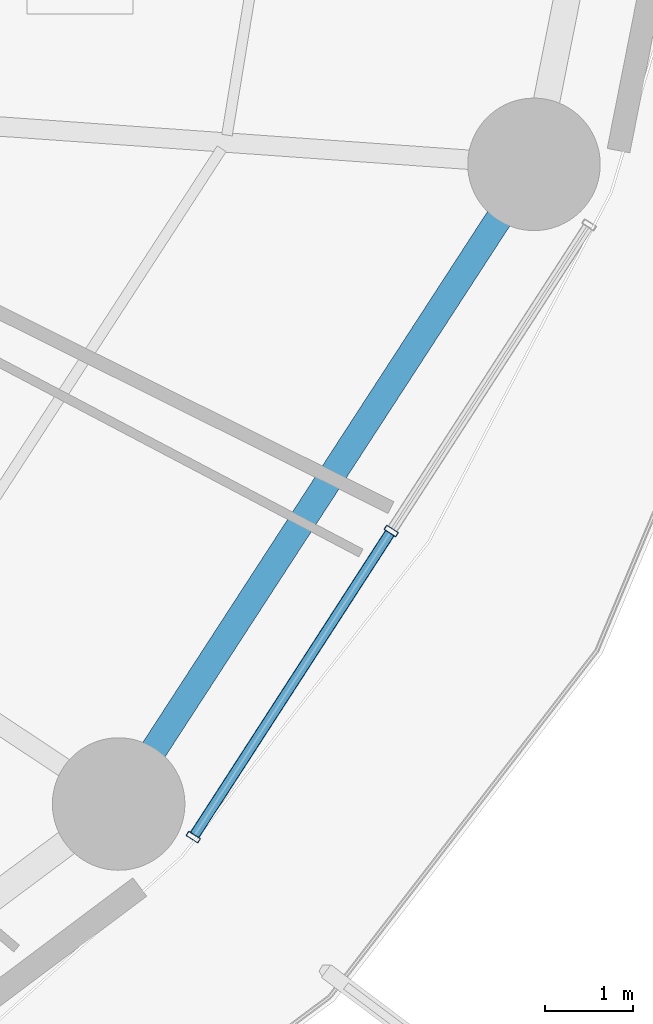
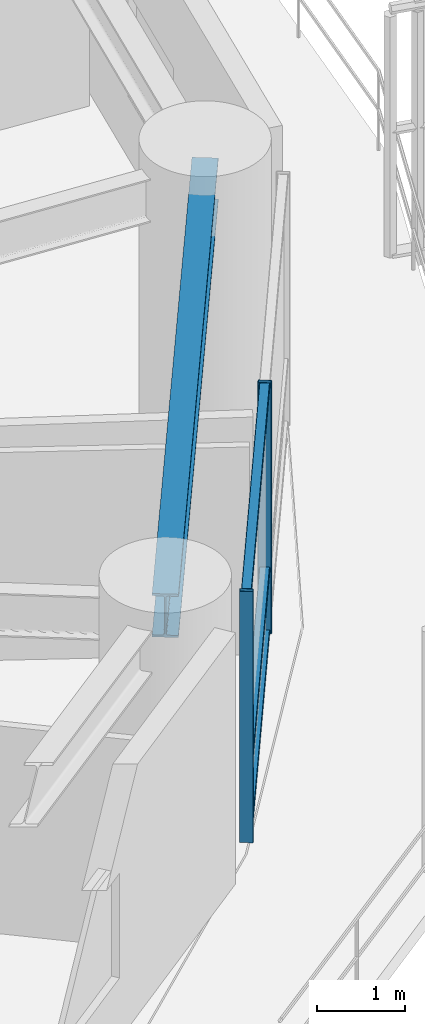
# One storey, part 10 of 31: 5 members, 1 beam, 1 element without a shape of its own.
"""IFC4 building model written with IfcOpenShell, lengths in metres."""

from ifc_helpers import new_model, si_unit, direction, frame, origin, origin_2d, place, context, subcontext, project, spatial, hollow_rectangle, i_section, extrude, material, layer, layer_set, material_profile, profile_set, type_object, element, aggregate, save


model = new_model("IFC4")

# Units and contexts
model_context = context("Model", 3, precision=1e-05, world=origin(), true_north=direction((0.0, 1.0)))
body_context = subcontext(model_context, "Body", "Model", "MODEL_VIEW")
ifc_project = project(units=[si_unit("LENGTHUNIT", "METRE"), si_unit("AREAUNIT", "SQUARE_METRE"), si_unit("VOLUMEUNIT", "CUBIC_METRE"), si_unit("PLANEANGLEUNIT", "RADIAN"), si_unit("MASSUNIT", "GRAM", prefix="KILO")], contexts=[model_context])

# Site, building, storey
site_placement = place(None, origin())
site = spatial("IfcSite", under=ifc_project, at=site_placement, CompositionType="ELEMENT")
building_placement = place(site_placement, origin())
building = spatial("IfcBuilding", under=site, at=building_placement, Name="Kelanora Arch Commons", CompositionType="ELEMENT")
storey_placement = place(building_placement, frame((0.0, 0.0, 63.75)))
storey = spatial("IfcBuildingStorey", under=building, at=storey_placement, Name="L16", CompositionType="ELEMENT", Elevation=63.75)

# Beam
ifc_material_1 = material(Name="Steel S355", Category="steel")
ifc_material_profile_1 = material_profile(ifc_material_1, i_section(OverallWidth=0.300048828125, OverallDepth=0.60009765625, WebThickness=0.015380859375, FlangeThickness=0.030029296875, FilletRadius=0.027099609375, at=origin_2d()), Name="HEB600")
ifc_profile_set_1 = profile_set([ifc_material_profile_1], Name="Steel S355")
beam_type = type_object("IfcBeamType", Name="BM-SPN-Z1", PredefinedType="SPANDREL", material=ifc_profile_set_1)
beam_placement = place(storey_placement, frame((94.744384765625, 42.521728515625, 3.18994140625), z_axis=(0.544585813928, 0.838705127722, 0.0), x_axis=(-0.838705127722, 0.544585813928, 0.0)))
element("IfcBeam", 1, at=beam_placement, inside=storey, type_object=beam_type, Name="Perimeter Spandrel Beam BS-32 L16", PredefinedType="SPANDREL", context=body_context, shape_type="SweptSolid", body=[
    extrude(i_section(OverallWidth=0.300048828125, OverallDepth=0.60009765625, WebThickness=0.015380859375, FlangeThickness=0.030029296875, FilletRadius=0.027099609375, at=origin_2d()), origin(), (0.0, 0.0, 1.0), 8.63525390625),
])

# Curtain wall, members
ifc_material_2 = material(Name="Terracotta ceramic-fritted low-E glass and aluminium", Category="masonry")
ifc_layer = layer(ifc_material_2, 0.159912109375)
ifc_layer_set = layer_set([ifc_layer], Name="Terracotta ceramic-fritted low-E glass and aluminium")
curtain_wall_type = type_object("IfcCurtainWallType", Name="CW-SYS-01", PredefinedType="NOTDEFINED", material=ifc_layer_set)
curtain_wall_placement = place(storey_placement, origin())
curtain_wall = element("IfcCurtainWall", 2, at=curtain_wall_placement, inside=storey, type_object=curtain_wall_type, Name="Unitised Curtain Wall L16-B16", PredefinedType="NOTDEFINED")
ifc_material_3 = material(Name="Powder-coated aluminium terracotta", Category="masonry")
ifc_material_profile_2 = material_profile(ifc_material_3, hollow_rectangle(XDim=0.159912109375, YDim=0.06005859375, WallThickness=0.0048828125, InnerFilletRadius=0.0048828125, OuterFilletRadius=0.010009765625, at=origin_2d()), Name="CWM160x60")
ifc_profile_set_2 = profile_set([ifc_material_profile_2], Name="Powder-coated aluminium terracotta")
member_type_1 = type_object("IfcMemberType", Name="CWM-STD", PredefinedType="MULLION", material=ifc_profile_set_2)
member_1_placement = place(storey_placement, frame((95.58935546875, 42.14697265625, 0.0), z_axis=(0.0, 0.0, 1.0), x_axis=(-0.83972982332, 0.543004441812, 0.0)))
member_1 = element("IfcMember", 3, at=member_1_placement, type_object=member_type_1, Name="CW-01 mullion 1", PredefinedType="MULLION", context=body_context, shape_type="SweptSolid", body=[
    extrude(hollow_rectangle(XDim=0.159912109375, YDim=0.06005859375, WallThickness=0.0048828125, InnerFilletRadius=0.0048828125, OuterFilletRadius=0.010009765625, at=origin_2d()), origin(), (0.0, 0.0, 1.0), 3.47509765625),
])
member_2_placement = place(storey_placement, frame((97.830810546875, 45.61328125, 0.0), z_axis=(0.0, 0.0, 1.0), x_axis=(-0.83972982332, 0.543004441812, 0.0)))
member_2 = element("IfcMember", 4, at=member_2_placement, type_object=member_type_1, Name="CW-01 mullion 2", PredefinedType="MULLION", context=body_context, shape_type="SweptSolid", body=[
    extrude(hollow_rectangle(XDim=0.159912109375, YDim=0.06005859375, WallThickness=0.0048828125, InnerFilletRadius=0.0048828125, OuterFilletRadius=0.010009765625, at=origin_2d()), origin(), (0.0, 0.0, 1.0), 3.47509765625),
])
ifc_material_profile_3 = material_profile(ifc_material_3, hollow_rectangle(XDim=0.1201171875, YDim=0.06005859375, WallThickness=0.0048828125, InnerFilletRadius=0.0048828125, OuterFilletRadius=0.010009765625, at=origin_2d()), Name="CWT120x60")
ifc_profile_set_3 = profile_set([ifc_material_profile_3], Name="Powder-coated aluminium terracotta")
member_type_2 = type_object("IfcMemberType", Name="CWT-STD", PredefinedType="USERDEFINED", material=ifc_profile_set_3)
member_3_placement = place(storey_placement, frame((95.605712890625, 42.17236328125, 0.030029296875), z_axis=(0.542997414293, 0.839734367566, 0.0), x_axis=(-0.839734367566, 0.542997414293, 0.0)))
member_3 = element("IfcMember", 5, at=member_3_placement, type_object=member_type_2, Name="CW-01 transom 1.1", ObjectType="TRANSOM", PredefinedType="USERDEFINED", context=body_context, shape_type="SweptSolid", body=[
    extrude(hollow_rectangle(XDim=0.1201171875, YDim=0.06005859375, WallThickness=0.0048828125, InnerFilletRadius=0.0048828125, OuterFilletRadius=0.010009765625, at=origin_2d()), origin(), (0.0, 0.0, 1.0), 4.067626953125),
])
member_4_placement = place(storey_placement, frame((95.605712890625, 42.17236328125, 0.89990234375), z_axis=(0.542997414293, 0.839734367566, 0.0), x_axis=(-0.839734367566, 0.542997414293, 0.0)))
member_4 = element("IfcMember", 6, at=member_4_placement, type_object=member_type_2, Name="CW-01 transom 1.2", ObjectType="TRANSOM", PredefinedType="USERDEFINED", context=body_context, shape_type="SweptSolid", body=[
    extrude(hollow_rectangle(XDim=0.1201171875, YDim=0.06005859375, WallThickness=0.0048828125, InnerFilletRadius=0.0048828125, OuterFilletRadius=0.010009765625, at=origin_2d()), origin(), (0.0, 0.0, 1.0), 4.067626953125),
])
member_5_placement = place(storey_placement, frame((95.605712890625, 42.17236328125, 3.445068359375), z_axis=(0.542997414293, 0.839734367566, 0.0), x_axis=(-0.839734367566, 0.542997414293, 0.0)))
member_5 = element("IfcMember", 7, at=member_5_placement, type_object=member_type_2, Name="CW-01 transom 1.3", ObjectType="TRANSOM", PredefinedType="USERDEFINED", context=body_context, shape_type="SweptSolid", body=[
    extrude(hollow_rectangle(XDim=0.1201171875, YDim=0.06005859375, WallThickness=0.0048828125, InnerFilletRadius=0.0048828125, OuterFilletRadius=0.010009765625, at=origin_2d()), origin(), (0.0, 0.0, 1.0), 4.067626953125),
])
aggregate(curtain_wall, [member_1, member_2, member_3, member_4, member_5])

save(model, "model.ifc")
